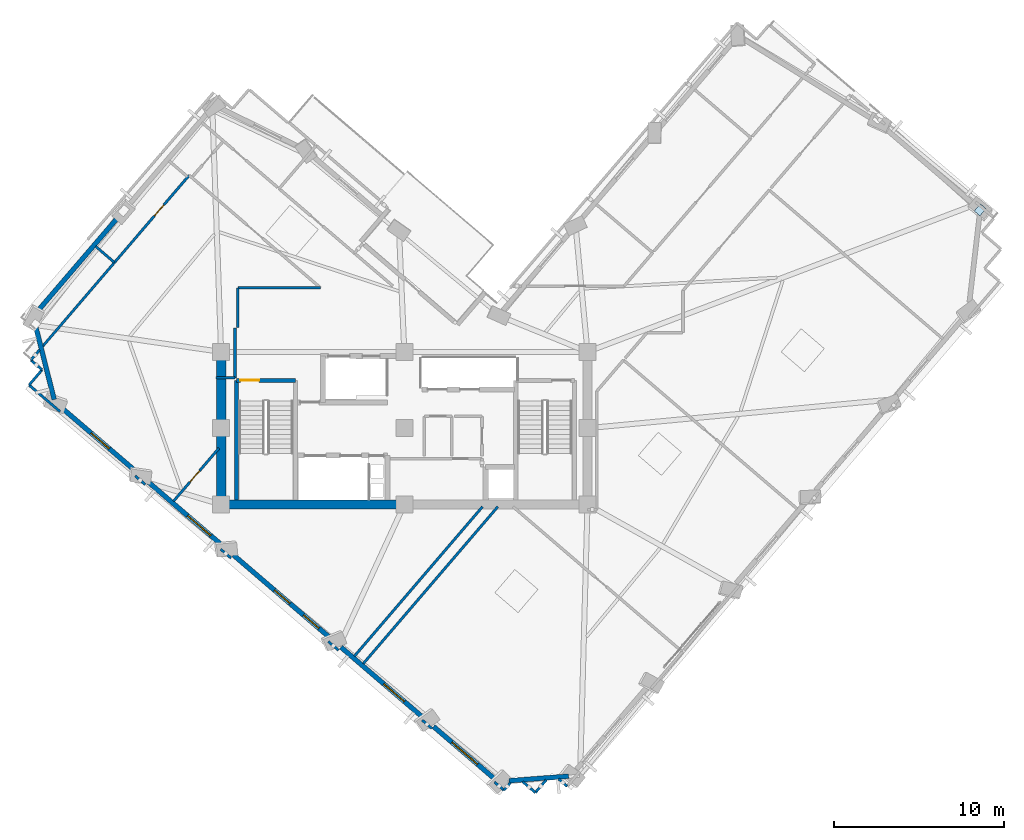
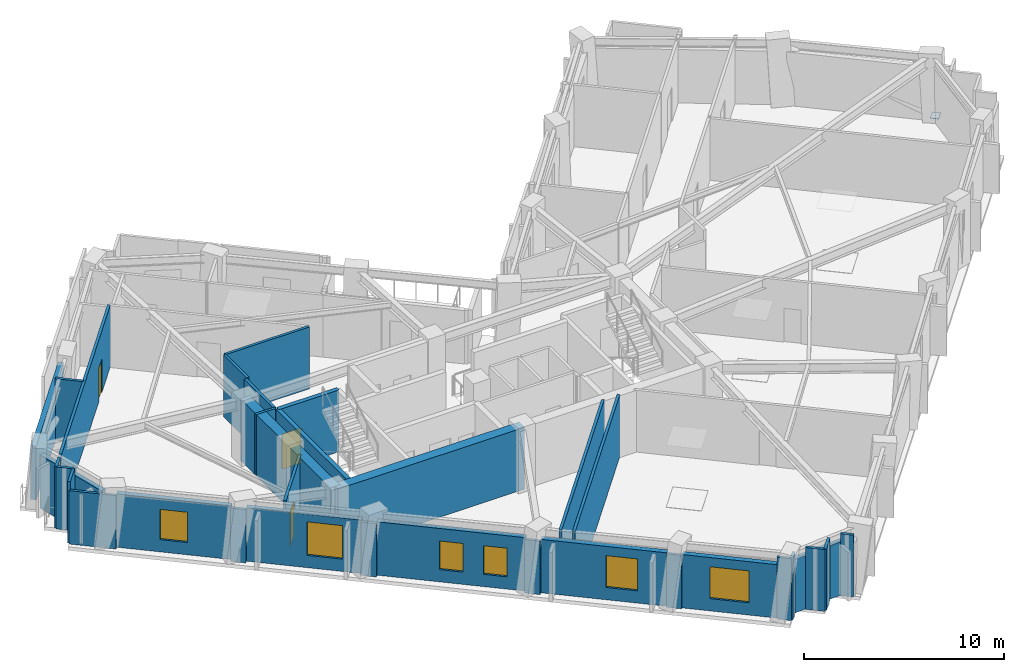
# One storey, part 5 of 12: 34 walls, 6 windows, 3 doors, 1 plate, 9 openings.
"""IFC4 building model written with IfcOpenShell, lengths in metres."""

import ifcopenshell
import ifcopenshell.guid

model = None  # the IFC model being written
_history = None  # IfcOwnerHistory: only IFC2X3 demands one
_inside = {}  # id of a spatial element -> (the spatial element, [elements in it])
_under = {}  # id of a project, library or spatial element -> (it, [spatial elements below it])
_declared = {}  # id of a project -> (the project, [libraries it declares])
_typed = {}  # id of a type object -> (the type object, [elements of that type])
_made_of = {}  # id of a material, layer set ... -> (it, [elements and type objects made of it])


def new_model(schema):
    """Start an empty IFC model of exactly this schema.

    Asked for "IFC4X3", IfcOpenShell would pick the latest addendum, in which some entities
    have other attributes; the version numbers below select the first issue.
    IFC2X3 requires an IfcOwnerHistory on every rooted entity: one is made here for all.
    """
    global model, _history
    if schema == "IFC4X3":
        model = ifcopenshell.file(schema_version=(4, 3, 0, 0))
    else:
        model = ifcopenshell.file(schema=schema)
    _inside.clear()
    _under.clear()
    _declared.clear()
    _typed.clear()
    _made_of.clear()
    _history = None
    if model.schema == "IFC2X3":
        org = make("IfcOrganization", Name="unknown")
        user = make(
            "IfcPersonAndOrganization",
            ThePerson=make("IfcPerson", FamilyName="unknown"),
            TheOrganization=org,
        )
        app = make(
            "IfcApplication",
            ApplicationDeveloper=org,
            Version="unknown",
            ApplicationFullName="unknown",
            ApplicationIdentifier="unknown",
        )
        _history = make(
            "IfcOwnerHistory",
            OwningUser=user,
            OwningApplication=app,
            ChangeAction="ADDED",
            CreationDate=0,
        )
    return model


def make(cls, **values):
    """One entity of the class cls with the attributes given. An attribute that is None is left unset."""
    return model.create_entity(
        cls, **{name: value for name, value in values.items() if value is not None}
    )


def rooted(cls, **values):
    """An entity with a GlobalId (a new one), such as an element, a storey or a relation."""
    return make(cls, GlobalId=ifcopenshell.guid.new(), OwnerHistory=_history, **values)


def si_unit(unit_type, name, prefix=None):
    """IfcSIUnit, for example si_unit("LENGTHUNIT", "METRE", prefix="MILLI")."""
    return make("IfcSIUnit", UnitType=unit_type, Prefix=prefix, Name=name)


def assignment(units):
    """IfcUnitAssignment: the units of a project."""
    return None if units is None else make("IfcUnitAssignment", Units=units)


def point(xyz):
    """IfcCartesianPoint."""
    return None if xyz is None else make("IfcCartesianPoint", Coordinates=xyz)


def direction(xyz):
    """IfcDirection."""
    return None if xyz is None else make("IfcDirection", DirectionRatios=xyz)


def frame(location, z_axis=None, x_axis=None):
    """IfcAxis2Placement3D, a coordinate frame: its origin and axes. An axis left out is left unset."""
    return make(
        "IfcAxis2Placement3D",
        Location=point(location),
        Axis=direction(z_axis),
        RefDirection=direction(x_axis),
    )


def frame_2d(location, x_axis=None):
    """IfcAxis2Placement2D, a coordinate frame in the plane: its origin and x axis."""
    return make(
        "IfcAxis2Placement2D", Location=point(location), RefDirection=direction(x_axis)
    )


def origin():
    """The frame at (0, 0, 0) with its axes left unset."""
    return frame((0.0, 0.0, 0.0))


def origin_2d():
    """The frame at (0, 0) in the plane with its x axis left unset."""
    return frame_2d((0.0, 0.0))


def place(relative_to, where):
    """IfcLocalPlacement: puts the frame where relative to a parent placement (None: the world)."""
    return make(
        "IfcLocalPlacement", PlacementRelTo=relative_to, RelativePlacement=where
    )


def context(
    kind, dimensions, precision=None, world=None, true_north=None, identifier=None
):
    """IfcGeometricRepresentationContext, for example the 3D "Model" context."""
    return make(
        "IfcGeometricRepresentationContext",
        ContextIdentifier=identifier,
        ContextType=kind,
        CoordinateSpaceDimension=dimensions,
        Precision=precision,
        WorldCoordinateSystem=world,
        TrueNorth=true_north,
    )


def subcontext(parent, identifier, kind, view, scale=None):
    """IfcGeometricRepresentationSubContext, for example "Body" below "Model"."""
    return make(
        "IfcGeometricRepresentationSubContext",
        ContextIdentifier=identifier,
        ContextType=kind,
        ParentContext=parent,
        TargetScale=scale,
        TargetView=view,
    )


def project(units=None, contexts=None):
    """IfcProject with its units and contexts."""
    return rooted(
        "IfcProject",
        Name="project",
        RepresentationContexts=contexts,
        UnitsInContext=assignment(units),
    )


def spatial(cls, under=None, at=None, **own):
    """A site, building, storey or space (cls), placed at a placement, below another one or the project."""
    s = rooted(cls, ObjectPlacement=at, **own)
    if under is not None:
        _under.setdefault(under.id(), (under, []))[1].append(s)
    return s


def profile(cls, at=None, kind="AREA", **sizes):
    """A parametric profile (cls). Its sizes go by their IFC names, for example OverallWidth=200.0."""
    return make(cls, ProfileType=kind, Position=at, **sizes)


def rectangle(**sizes):
    """IfcRectangleProfileDef."""
    return profile("IfcRectangleProfileDef", **sizes)


def extrude(swept, where, along, depth):
    """IfcExtrudedAreaSolid: the profile swept, set in the frame where, extruded along a direction by depth."""
    return make(
        "IfcExtrudedAreaSolid",
        SweptArea=swept,
        Position=where,
        ExtrudedDirection=direction(along),
        Depth=depth,
    )


def shape(context_of_items, identifier, shape_type, items):
    """IfcShapeRepresentation: the items that make up one representation, for example the "Body"."""
    return make(
        "IfcShapeRepresentation",
        ContextOfItems=context_of_items,
        RepresentationIdentifier=identifier,
        RepresentationType=shape_type,
        Items=items,
    )


def material(Name=None, Category=None):
    """IfcMaterial."""
    return make("IfcMaterial", Name=Name, Category=Category)


def layer(
    of_material, thickness, ventilated=None, Name=None, Category=None, Priority=None
):
    """IfcMaterialLayer: one layer of a wall or slab, of a material (None: an air gap)."""
    return make(
        "IfcMaterialLayer",
        Material=of_material,
        LayerThickness=thickness,
        IsVentilated=ventilated,
        Name=Name,
        Category=Category,
        Priority=Priority,
    )


def layer_set(layers, Name=None):
    """IfcMaterialLayerSet."""
    return make("IfcMaterialLayerSet", MaterialLayers=layers, LayerSetName=Name)


def made_of(thing, what):
    """Note that an element or type object is made of a material, layer set ...; save() writes the relation."""
    if what is not None:
        _made_of.setdefault(what.id(), (what, []))[1].append(thing)
    return thing


def type_object(cls, material=None, **own):
    """A type object (cls), such as IfcWallType, which elements share."""
    return made_of(rooted(cls, **own), material)


def element(
    cls,
    number,
    at=None,
    inside=None,
    cuts=None,
    type_object=None,
    material=None,
    context=None,
    identifier="Body",
    shape_type=None,
    held_by="IfcProductDefinitionShape",
    body=None,
    shapes=None,
    **own,
):
    """One element of the class cls, such as IfcWall. Its Tag is "e" and its number.

    at: its placement. inside: the storey or other place that contains it. cuts: it is an
    opening in that element (IfcRelVoidsElement). A single representation is given by context,
    identifier, shape_type and body (its items); several are given by shapes. held_by: the class
    of the entity that holds the representations. save() writes the other relations.
    """
    e = rooted(cls, Tag="e%d" % number, ObjectPlacement=at, **own)
    if body is not None:
        shapes = [shape(context, identifier, shape_type, body)]
    if shapes is not None:
        e.Representation = make(held_by, Representations=shapes)
    if inside is not None:
        _inside.setdefault(inside.id(), (inside, []))[1].append(e)
    if cuts is not None:
        rooted(
            "IfcRelVoidsElement", RelatingBuildingElement=cuts, RelatedOpeningElement=e
        )
    if type_object is not None:
        _typed.setdefault(type_object.id(), (type_object, []))[1].append(e)
    return made_of(e, material)


def fill(opening, filler):
    """IfcRelFillsElement: the door or window that sits in an opening."""
    return rooted(
        "IfcRelFillsElement",
        RelatingOpeningElement=opening,
        RelatedBuildingElement=filler,
    )


def aggregate(whole, parts):
    """IfcRelAggregates: a whole, such as a stair, and the parts it consists of."""
    return rooted("IfcRelAggregates", RelatingObject=whole, RelatedObjects=parts)


def save(model, path):
    """Write the relations noted so far, then the file.

    IfcRelAggregates (storeys below a building ...), IfcRelContainedInSpatialStructure (elements
    in a storey), IfcRelDefinesByType, IfcRelAssociatesMaterial and IfcRelDeclares: one each for
    every whole, place, type object, material and project.
    """
    for whole, parts in _under.values():
        aggregate(whole, parts)
    for where, things in _inside.values():
        rooted(
            "IfcRelContainedInSpatialStructure",
            RelatedElements=things,
            RelatingStructure=where,
        )
    for kind, things in _typed.values():
        rooted("IfcRelDefinesByType", RelatedObjects=things, RelatingType=kind)
    for what, things in _made_of.values():
        rooted("IfcRelAssociatesMaterial", RelatedObjects=things, RelatingMaterial=what)
    for by, libraries in _declared.values():
        rooted("IfcRelDeclares", RelatingContext=by, RelatedDefinitions=libraries)
    model.write(path)


model = new_model("IFC4")

# Units and contexts
model_context = context("Model", 3, precision=1e-05, world=origin(), true_north=direction((0.0, 1.0)))
body_context = subcontext(model_context, "Body", "Model", "MODEL_VIEW")
ifc_project = project(units=[si_unit("LENGTHUNIT", "METRE"), si_unit("AREAUNIT", "SQUARE_METRE"), si_unit("VOLUMEUNIT", "CUBIC_METRE"), si_unit("PLANEANGLEUNIT", "RADIAN"), si_unit("MASSUNIT", "GRAM", prefix="KILO")], contexts=[model_context])

# Site, building, storey
site_placement = place(None, origin())
site = spatial("IfcSite", under=ifc_project, at=site_placement, CompositionType="ELEMENT")
building_placement = place(site_placement, origin())
building = spatial("IfcBuilding", under=site, at=building_placement, Name="Gaonmaruhae Medical Tower", CompositionType="ELEMENT")
storey_placement = place(building_placement, frame((0.0, 0.0, 235.199951171875)))
storey = spatial("IfcBuildingStorey", under=building, at=storey_placement, Name="L56", CompositionType="ELEMENT", Elevation=235.199951171875)

# Plate
ifc_material_1 = material(Name="Steel HSA650 (650 MPa)", Category="steel")
ifc_layer_1 = layer(ifc_material_1, 0.028076171875)
ifc_layer_set_1 = layer_set([ifc_layer_1], Name="Steel HSA650 (650 MPa)")
plate_type = type_object("IfcPlateType", Name="GP-02 Tube Brace End Cap Gusset Plate", PredefinedType="USERDEFINED", material=ifc_layer_set_1)
plate_placement = place(storey_placement, frame((58.74755859375, 25.1748046875, 0.23583984375), z_axis=(0.0, 0.0, 1.0), x_axis=(0.650774217266, 0.759271307335, 0.0)))
element("IfcPlate", 1, at=plate_placement, inside=storey, type_object=plate_type, Name="L56 Gusset Cap Plate PLT-L56-PBR-E01A", ObjectType="GUSSET_PLATE", PredefinedType="USERDEFINED", context=body_context, shape_type="SweptSolid", body=[
    extrude(rectangle(XDim=0.56005859375, YDim=0.43994140625, at=origin_2d()), origin(), (0.0, 0.0, 1.0), 0.028076171875),
])

# Walls
ifc_material_2 = material(Name="Concrete C50/60", Category="concrete")
ifc_layer_2 = layer(ifc_material_2, 0.550048828125)
ifc_layer_set_2 = layer_set([ifc_layer_2], Name="Concrete C50/60")
wall_type_1 = type_object("IfcWallType", Name="CW-550 Mid-High Core Shear Wall", PredefinedType="SHEAR", material=ifc_layer_set_2)
wall_1_placement = place(storey_placement, frame((14.0, 7.800048828125, 0.0), z_axis=(0.0, 0.0, 1.0), x_axis=(1.0, 0.0, 0.0)))
element("IfcWall", 2, at=wall_1_placement, inside=storey, type_object=wall_type_1, Name="L56 Core Shear Wall CSW-S1", PredefinedType="SHEAR", context=body_context, shape_type="SweptSolid", body=[
    extrude(rectangle(XDim=10.800048828125, YDim=0.550048828125, at=frame_2d((5.39990234375, 0.0))), origin(), (0.0, 0.0, 1.0), 3.780029296875),
])
wall_2_placement = place(storey_placement, frame((14.0, 16.800048828125, 0.0), z_axis=(0.0, 0.0, 1.0), x_axis=(0.0, -1.0, 0.0)))
element("IfcWall", 3, at=wall_2_placement, inside=storey, type_object=wall_type_1, Name="L56 Core Shear Wall CSW-W1", PredefinedType="SHEAR", context=body_context, shape_type="SweptSolid", body=[
    extrude(rectangle(XDim=9.0, YDim=0.550048828125, at=frame_2d((4.5, 0.0))), origin(), (0.0, 0.0, 1.0), 3.780029296875),
])
ifc_material_3 = material(Name="Precast concrete C45/55", Category="concrete")
ifc_layer_3 = layer(ifc_material_3, 0.280029296875)
ifc_layer_set_3 = layer_set([ifc_layer_3], Name="Precast concrete C45/55")
wall_type_2 = type_object("IfcWallType", Name="EW-280 Upper Precast Masonry-Frame Facade Wall", PredefinedType="SOLIDWALL", material=ifc_layer_set_3)
wall_3_placement = place(storey_placement, frame((3.0390625, 19.03125, 0.0), z_axis=(0.0, 0.0, 1.0), x_axis=(0.650777942078, 0.759268114769, 0.0)))
element("IfcWall", 4, at=wall_3_placement, inside=storey, type_object=wall_type_2, Name="L56 Precast Masonry-Frame Wall N02-N03", PredefinedType="SOLIDWALL", context=body_context, shape_type="SweptSolid", body=[
    extrude(rectangle(XDim=7.484619140625, YDim=0.280029296875, at=frame_2d((3.7421875, 0.0))), origin(), (0.0, 0.0, 1.0), 3.26513671875),
])
wall_4_placement = place(storey_placement, frame((4.16162109375, 13.983642578125, 0.0), z_axis=(0.0, 0.0, 1.0), x_axis=(-0.245023900533, 0.969517038616, 0.0)))
element("IfcWall", 5, at=wall_4_placement, inside=storey, type_object=wall_type_2, Name="L56 Precast Masonry-Frame Wall N03-W01", PredefinedType="SOLIDWALL", context=body_context, shape_type="SweptSolid", body=[
    extrude(rectangle(XDim=4.407958984375, YDim=0.280029296875, at=frame_2d((2.2041015625, 0.0))), origin(), (0.0, 0.0, 1.0), 3.26513671875),
])

# Wall, opening, window
wall_5_placement = place(storey_placement, frame((9.08251953125, 9.660888671875, 0.0), z_axis=(0.0, 0.0, 1.0), x_axis=(-0.759271381462, 0.65077413078, 0.0)))
wall_5 = element("IfcWall", 6, at=wall_5_placement, inside=storey, type_object=wall_type_2, Name="L56 Precast Masonry-Frame Wall W01-W02", PredefinedType="SOLIDWALL", context=body_context, shape_type="SweptSolid", body=[
    extrude(rectangle(XDim=5.830322265625, YDim=0.280029296875, at=frame_2d((2.9150390625, 0.0))), origin(), (0.0, 0.0, 1.0), 3.26513671875),
])
opening_1_placement = place(wall_5_placement, frame((2.21142578125, 0.0, 0.75)))
opening_1 = element("IfcOpeningElement", 7, at=opening_1_placement, cuts=wall_5, Name="Opening WN-03", PredefinedType="OPENING", context=body_context, shape_type="SweptSolid", body=[
    extrude(rectangle(XDim=1.39990234375, YDim=1.85009765625, at=frame_2d((0.699951171875, 0.925048828125))), frame((0.0, 0.14990234375, 0.0), z_axis=(0.0, -1.0, 0.0), x_axis=(1.0, 0.0, 0.0)), (0.0, 0.0, 1.0), 0.300048828125),
])
ifc_material_4 = material(Name="Anodised aluminium and Low-E double glazing", Category="aluminium")
window_type_1 = type_object("IfcWindowType", Name="WN-03 Isolation Ward Punched Window 1400x1850", PartitioningType="SINGLE_PANEL", PredefinedType="WINDOW", material=ifc_material_4)
window_1_placement = place(opening_1_placement, origin())
window_1 = element("IfcWindow", 8, at=window_1_placement, inside=storey, type_object=window_type_1, Name="L56 Modular Facade Window W01", OverallHeight=1.85009765625, OverallWidth=1.39990234375, PartitioningType="SINGLE_PANEL", PredefinedType="WINDOW", context=body_context, shape_type="SweptSolid", body=[
    extrude(rectangle(XDim=1.39990234375, YDim=1.85009765625, at=frame_2d((0.699951171875, 0.925048828125))), frame((0.0, 0.030029296875, 0.0), z_axis=(0.0, -1.0, 0.0), x_axis=(1.0, 0.0, 0.0)), (0.0, 0.0, 1.0), 0.06005859375),
])
fill(opening_1, window_1)

wall_6_placement = place(storey_placement, frame((14.126953125, 5.33740234375, 0.0), z_axis=(0.0, 0.0, 1.0), x_axis=(-0.75928012576, 0.650763928492, 0.0)))
wall_6 = element("IfcWall", 9, at=wall_6_placement, inside=storey, type_object=wall_type_2, Name="L56 Precast Masonry-Frame Wall W02-W03", PredefinedType="SOLIDWALL", context=body_context, shape_type="SweptSolid", body=[
    extrude(rectangle(XDim=5.86083984375, YDim=0.280029296875, at=frame_2d((2.930419921875, 0.0))), origin(), (0.0, 0.0, 1.0), 3.26513671875),
])
opening_2_placement = place(wall_6_placement, frame((0.972900390625, 0.0, 0.75)))
opening_2 = element("IfcOpeningElement", 10, at=opening_2_placement, cuts=wall_6, Name="Opening WN-04", PredefinedType="OPENING", context=body_context, shape_type="SweptSolid", body=[
    extrude(rectangle(XDim=1.800048828125, YDim=2.050048828125, at=frame_2d((0.89990234375, 1.02490234375))), frame((0.0, 0.14990234375, 0.0), z_axis=(0.0, -1.0, 0.0), x_axis=(1.0, 0.0, 0.0)), (0.0, 0.0, 1.0), 0.300048828125),
])
window_type_2 = type_object("IfcWindowType", Name="WN-04 Clinic & Consult Punched Window 1800x2050", PartitioningType="SINGLE_PANEL", PredefinedType="WINDOW", material=ifc_material_4)
window_2_placement = place(opening_2_placement, origin())
window_2 = element("IfcWindow", 11, at=window_2_placement, inside=storey, type_object=window_type_2, Name="L56 Modular Facade Window W02", OverallHeight=2.050048828125, OverallWidth=1.800048828125, PartitioningType="SINGLE_PANEL", PredefinedType="WINDOW", context=body_context, shape_type="SweptSolid", body=[
    extrude(rectangle(XDim=1.800048828125, YDim=2.050048828125, at=frame_2d((0.89990234375, 1.02490234375))), frame((0.0, 0.030029296875, 0.0), z_axis=(0.0, -1.0, 0.0), x_axis=(1.0, 0.0, 0.0)), (0.0, 0.0, 1.0), 0.06005859375),
])
fill(opening_2, window_2)

# Wall, openings, windows
wall_7_placement = place(storey_placement, frame((20.468994140625, -0.098388671875, 0.0), z_axis=(0.0, 0.0, 1.0), x_axis=(-0.759272562742, 0.650772752555, 0.0)))
wall_7 = element("IfcWall", 12, at=wall_7_placement, inside=storey, type_object=wall_type_2, Name="L56 Precast Masonry-Frame Wall W03-W04", PredefinedType="SOLIDWALL", context=body_context, shape_type="SweptSolid", body=[
    extrude(rectangle(XDim=7.558349609375, YDim=0.280029296875, at=frame_2d((3.779296875, 0.0))), origin(), (0.0, 0.0, 1.0), 3.26513671875),
])
opening_3_placement = place(wall_7_placement, frame((3.18017578125, 0.0, 0.75)))
opening_3 = element("IfcOpeningElement", 13, at=opening_3_placement, cuts=wall_7, Name="Opening WN-05", PredefinedType="OPENING", context=body_context, shape_type="SweptSolid", body=[
    extrude(rectangle(XDim=1.199951171875, YDim=1.75, at=frame_2d((0.60009765625, 0.875))), frame((0.0, 0.14990234375, 0.0), z_axis=(0.0, -1.0, 0.0), x_axis=(1.0, 0.0, 0.0)), (0.0, 0.0, 1.0), 0.300048828125),
])
opening_4_placement = place(wall_7_placement, frame((0.926025390625, 0.0, 0.75)))
opening_4 = element("IfcOpeningElement", 14, at=opening_4_placement, cuts=wall_7, Name="Opening WN-05", PredefinedType="OPENING", context=body_context, shape_type="SweptSolid", body=[
    extrude(rectangle(XDim=1.199951171875, YDim=1.75, at=frame_2d((0.60009765625, 0.875))), frame((0.0, 0.14990234375, 0.0), z_axis=(0.0, -1.0, 0.0), x_axis=(1.0, 0.0, 0.0)), (0.0, 0.0, 1.0), 0.300048828125),
])
window_type_3 = type_object("IfcWindowType", Name="WN-05 Support & Staff Punched Window 1200x1750", PartitioningType="SINGLE_PANEL", PredefinedType="WINDOW", material=ifc_material_4)
window_3_placement = place(opening_3_placement, origin())
window_3 = element("IfcWindow", 15, at=window_3_placement, inside=storey, type_object=window_type_3, Name="L56 Modular Facade Window W03", OverallHeight=1.75, OverallWidth=1.199951171875, PartitioningType="SINGLE_PANEL", PredefinedType="WINDOW", context=body_context, shape_type="SweptSolid", body=[
    extrude(rectangle(XDim=1.199951171875, YDim=1.75, at=frame_2d((0.60009765625, 0.875))), frame((0.0, 0.030029296875, 0.0), z_axis=(0.0, -1.0, 0.0), x_axis=(1.0, 0.0, 0.0)), (0.0, 0.0, 1.0), 0.06005859375),
])
fill(opening_3, window_3)
window_4_placement = place(opening_4_placement, origin())
window_4 = element("IfcWindow", 16, at=window_4_placement, inside=storey, type_object=window_type_3, Name="L56 Modular Facade Window W03B", OverallHeight=1.75, OverallWidth=1.199951171875, PartitioningType="SINGLE_PANEL", PredefinedType="WINDOW", context=body_context, shape_type="SweptSolid", body=[
    extrude(rectangle(XDim=1.199951171875, YDim=1.75, at=frame_2d((0.60009765625, 0.875))), frame((0.0, 0.030029296875, 0.0), z_axis=(0.0, -1.0, 0.0), x_axis=(1.0, 0.0, 0.0)), (0.0, 0.0, 1.0), 0.06005859375),
])
fill(opening_4, window_4)

# Wall, opening, window
wall_8_placement = place(storey_placement, frame((25.9453125, -4.792236328125, 0.0), z_axis=(0.0, 0.0, 1.0), x_axis=(-0.759283424099, 0.650760080128, 0.0)))
wall_8 = element("IfcWall", 17, at=wall_8_placement, inside=storey, type_object=wall_type_2, Name="L56 Precast Masonry-Frame Wall W04-W05", PredefinedType="SOLIDWALL", context=body_context, shape_type="SweptSolid", body=[
    extrude(rectangle(XDim=6.425048828125, YDim=0.280029296875, at=frame_2d((3.21240234375, 0.0))), origin(), (0.0, 0.0, 1.0), 3.26513671875),
])
opening_5_placement = place(wall_8_placement, frame((1.49755859375, 0.0, 0.75)))
opening_5 = element("IfcOpeningElement", 18, at=opening_5_placement, cuts=wall_8, Name="Opening WN-01", PredefinedType="OPENING", context=body_context, shape_type="SweptSolid", body=[
    extrude(rectangle(XDim=1.60009765625, YDim=1.949951171875, at=frame_2d((0.800048828125, 0.97509765625))), frame((0.0, 0.14990234375, 0.0), z_axis=(0.0, -1.0, 0.0), x_axis=(1.0, 0.0, 0.0)), (0.0, 0.0, 1.0), 0.300048828125),
])
window_type_4 = type_object("IfcWindowType", Name="WN-01 Ward Punched Acoustic Window 1600x1950", PartitioningType="SINGLE_PANEL", PredefinedType="WINDOW", material=ifc_material_4)
window_5_placement = place(opening_5_placement, origin())
window_5 = element("IfcWindow", 19, at=window_5_placement, inside=storey, type_object=window_type_4, Name="L56 Modular Facade Window W04", OverallHeight=1.949951171875, OverallWidth=1.60009765625, PartitioningType="SINGLE_PANEL", PredefinedType="WINDOW", context=body_context, shape_type="SweptSolid", body=[
    extrude(rectangle(XDim=1.60009765625, YDim=1.949951171875, at=frame_2d((0.800048828125, 0.97509765625))), frame((0.0, 0.030029296875, 0.0), z_axis=(0.0, -1.0, 0.0), x_axis=(1.0, 0.0, 0.0)), (0.0, 0.0, 1.0), 0.06005859375),
])
fill(opening_5, window_5)

wall_9_placement = place(storey_placement, frame((30.210205078125, -8.447509765625, 0.0), z_axis=(0.0, 0.0, 1.0), x_axis=(-0.759274347873, 0.650770669792, 0.0)))
wall_9 = element("IfcWall", 20, at=wall_9_placement, inside=storey, type_object=wall_type_2, Name="L56 Precast Masonry-Frame Wall W05-W06", PredefinedType="SOLIDWALL", context=body_context, shape_type="SweptSolid", body=[
    extrude(rectangle(XDim=4.855712890625, YDim=0.280029296875, at=frame_2d((2.427734375, 0.0))), origin(), (0.0, 0.0, 1.0), 3.26513671875),
])
opening_6_placement = place(wall_9_placement, frame((1.4326171875, 0.0, 0.75)))
opening_6 = element("IfcOpeningElement", 21, at=opening_6_placement, cuts=wall_9, Name="Opening WN-02", PredefinedType="OPENING", context=body_context, shape_type="SweptSolid", body=[
    extrude(rectangle(XDim=2.0, YDim=1.949951171875, at=frame_2d((1.0, 0.97509765625))), frame((0.0, 0.14990234375, 0.0), z_axis=(0.0, -1.0, 0.0), x_axis=(1.0, 0.0, 0.0)), (0.0, 0.0, 1.0), 0.300048828125),
])
window_type_5 = type_object("IfcWindowType", Name="WN-02 Double-Bed Ward Punched Window 2000x1950", PartitioningType="SINGLE_PANEL", PredefinedType="WINDOW", material=ifc_material_4)
window_6_placement = place(opening_6_placement, origin())
window_6 = element("IfcWindow", 22, at=window_6_placement, inside=storey, type_object=window_type_5, Name="L56 Modular Facade Window W05", OverallHeight=1.949951171875, OverallWidth=2.0, PartitioningType="SINGLE_PANEL", PredefinedType="WINDOW", context=body_context, shape_type="SweptSolid", body=[
    extrude(rectangle(XDim=2.0, YDim=1.949951171875, at=frame_2d((1.0, 0.97509765625))), frame((0.0, 0.030029296875, 0.0), z_axis=(0.0, -1.0, 0.0), x_axis=(1.0, 0.0, 0.0)), (0.0, 0.0, 1.0), 0.06005859375),
])
fill(opening_6, window_6)

# Walls
wall_10_placement = place(storey_placement, frame((34.491455078125, -8.21533203125, 0.0), z_axis=(0.0, 0.0, 1.0), x_axis=(-0.997049588835, -0.076760128996, 0.0)))
element("IfcWall", 23, at=wall_10_placement, inside=storey, type_object=wall_type_2, Name="L56 Precast Masonry-Frame Wall W06-S01", PredefinedType="SOLIDWALL", context=body_context, shape_type="SweptSolid", body=[
    extrude(rectangle(XDim=3.52099609375, YDim=0.280029296875, at=frame_2d((1.760498046875, 0.0))), origin(), (0.0, 0.0, 1.0), 3.26513671875),
])
ifc_material_5 = material(Name="Gypsum board partition", Category="gypsum")
ifc_layer_4 = layer(ifc_material_5, 0.14990234375)
ifc_layer_set_4 = layer_set([ifc_layer_4], Name="Gypsum board partition")
wall_type_3 = type_object("IfcWallType", Name="PW-150 Rated Clinical Corridor Partition", PredefinedType="PARTITIONING", material=ifc_layer_set_4)
wall_11_placement = place(storey_placement, frame((32.527099609375, -9.181884765625, 0.0), z_axis=(0.0, 0.0, 1.0), x_axis=(-0.75976264828, 0.650200521592, 0.0)))
element("IfcWall", 24, at=wall_11_placement, inside=storey, type_object=wall_type_3, Name="L56 Interior Partition L56-SUP01-8", PredefinedType="PARTITIONING", context=body_context, shape_type="SweptSolid", body=[
    extrude(rectangle(XDim=0.987060546875, YDim=0.14990234375, at=frame_2d((0.49365234375, 0.0))), origin(), (0.0, 0.0, 1.0), 3.780029296875),
])
wall_12_placement = place(storey_placement, frame((31.053955078125, -8.594970703125, 0.0), z_axis=(0.0, 0.0, 1.0), x_axis=(-0.650311850312, -0.759667359667, 0.0)))
element("IfcWall", 25, at=wall_12_placement, inside=storey, type_object=wall_type_3, Name="L56 Interior Partition L56-SUP01-9", PredefinedType="PARTITIONING", context=body_context, shape_type="SweptSolid", body=[
    extrude(rectangle(XDim=0.587158203125, YDim=0.14990234375, at=frame_2d((0.29345703125, 0.0))), origin(), (0.0, 0.0, 1.0), 3.780029296875),
])
wall_13_placement = place(storey_placement, frame((30.672119140625, -9.041015625, 0.0), z_axis=(0.0, 0.0, 1.0), x_axis=(-0.758741831686, 0.651391458993, 0.0)))
element("IfcWall", 26, at=wall_13_placement, inside=storey, type_object=wall_type_3, Name="L56 Interior Partition L56-SUP01-10", PredefinedType="PARTITIONING", context=body_context, shape_type="SweptSolid", body=[
    extrude(rectangle(XDim=0.73681640625, YDim=0.14990234375, at=frame_2d((0.368408203125, 0.0))), origin(), (0.0, 0.0, 1.0), 3.780029296875),
])
wall_14_placement = place(storey_placement, frame((26.426025390625, -5.402099609375, 0.0), z_axis=(0.0, 0.0, 1.0), x_axis=(-0.758894532058, 0.651213551158, 0.0)))
element("IfcWall", 27, at=wall_14_placement, inside=storey, type_object=wall_type_3, Name="L56 Interior Partition L56-SUP01-11", PredefinedType="PARTITIONING", context=body_context, shape_type="SweptSolid", body=[
    extrude(rectangle(XDim=0.76171875, YDim=0.14990234375, at=frame_2d((0.380859375, 0.0))), origin(), (0.0, 0.0, 1.0), 3.26513671875),
])
wall_15_placement = place(storey_placement, frame((22.37890625, -1.583984375, 0.0), z_axis=(0.0, 0.0, 1.0), x_axis=(0.650778183547, 0.759267907803, 0.0)))
element("IfcWall", 28, at=wall_15_placement, inside=storey, type_object=wall_type_3, Name="L56 Interior Partition L56-SUP01-12", PredefinedType="PARTITIONING", context=body_context, shape_type="SweptSolid", body=[
    extrude(rectangle(XDim=12.194580078125, YDim=0.14990234375, at=frame_2d((6.09716796875, 0.0))), origin(), (0.0, 0.0, 1.0), 3.780029296875),
])
wall_16_placement = place(storey_placement, frame((34.39892578125, -8.81103515625, 0.0), z_axis=(0.0, 0.0, 1.0), x_axis=(-0.75951479311, 0.650490029937, 0.0)))
element("IfcWall", 29, at=wall_16_placement, inside=storey, type_object=wall_type_3, Name="L56 Interior Partition L56-SUP01-16", PredefinedType="PARTITIONING", context=body_context, shape_type="SweptSolid", body=[
    extrude(rectangle(XDim=0.667236328125, YDim=0.14990234375, at=frame_2d((0.33349609375, 0.0))), origin(), (0.0, 0.0, 1.0), 3.780029296875),
])
wall_17_placement = place(storey_placement, frame((33.1689453125, -8.43310546875, 0.0), z_axis=(0.0, 0.0, 1.0), x_axis=(-0.65081175978, -0.759239127899, 0.0)))
element("IfcWall", 30, at=wall_17_placement, inside=storey, type_object=wall_type_3, Name="L56 Interior Partition L56-SUP01-17", PredefinedType="PARTITIONING", context=body_context, shape_type="SweptSolid", body=[
    extrude(rectangle(XDim=0.986328125, YDim=0.14990234375, at=frame_2d((0.4931640625, 0.0))), origin(), (0.0, 0.0, 1.0), 3.780029296875),
])
wall_18_placement = place(storey_placement, frame((29.412109375, 7.675048828125, 0.0), z_axis=(0.0, 0.0, 1.0), x_axis=(-0.65075326378, -0.759289266143, 0.0)))
element("IfcWall", 31, at=wall_18_placement, inside=storey, type_object=wall_type_3, Name="L56 Interior Partition L56-WOF05-40", PredefinedType="PARTITIONING", context=body_context, shape_type="SweptSolid", body=[
    extrude(rectangle(XDim=11.60693359375, YDim=0.14990234375, at=frame_2d((5.803466796875, 0.0))), origin(), (0.0, 0.0, 1.0), 3.780029296875),
])
wall_19_placement = place(storey_placement, frame((20.9169921875, -0.785888671875, 0.0), z_axis=(0.0, 0.0, 1.0), x_axis=(-0.758972140916, 0.651123098434, 0.0)))
element("IfcWall", 32, at=wall_19_placement, inside=storey, type_object=wall_type_3, Name="L56 Interior Partition L56-WOF05-41", PredefinedType="PARTITIONING", context=body_context, shape_type="SweptSolid", body=[
    extrude(rectangle(XDim=0.787841796875, YDim=0.14990234375, at=frame_2d((0.39404296875, 0.0))), origin(), (0.0, 0.0, 1.0), 3.26513671875),
])
wall_20_placement = place(storey_placement, frame((14.5810546875, 4.64599609375, 0.0), z_axis=(0.0, 0.0, 1.0), x_axis=(-0.759646602571, 0.650336097108, 0.0)))
element("IfcWall", 33, at=wall_20_placement, inside=storey, type_object=wall_type_3, Name="L56 Interior Partition L56-WOF05-42", PredefinedType="PARTITIONING", context=body_context, shape_type="SweptSolid", body=[
    extrude(rectangle(XDim=0.795166015625, YDim=0.14990234375, at=frame_2d((0.3974609375, 0.0))), origin(), (0.0, 0.0, 1.0), 3.26513671875),
])

# Wall, opening, door
wall_21_placement = place(storey_placement, frame((11.197998046875, 7.9990234375, 0.0), z_axis=(0.0, 0.0, 1.0), x_axis=(0.650923360633, 0.759143450595, 0.0)))
wall_21 = element("IfcWall", 34, at=wall_21_placement, inside=storey, type_object=wall_type_3, Name="L56 Interior Partition L56-WOF05-43", PredefinedType="PARTITIONING", context=body_context, shape_type="SweptSolid", body=[
    extrude(rectangle(XDim=4.112548828125, YDim=0.14990234375, at=frame_2d((2.05615234375, 0.0))), origin(), (0.0, 0.0, 1.0), 3.780029296875),
])
opening_7_placement = place(wall_21_placement, frame((1.491943359375, 0.0, 0.0)))
opening_7 = element("IfcOpeningElement", 35, at=opening_7_placement, cuts=wall_21, Name="Opening AD-01", PredefinedType="OPENING", context=body_context, shape_type="SweptSolid", body=[
    extrude(rectangle(XDim=0.860107421875, YDim=2.06005859375, at=frame_2d((0.43017578125, 1.030029296875))), frame((0.0, 0.0849609375, 0.0), z_axis=(0.0, -1.0, 0.0), x_axis=(1.0, 0.0, 0.0)), (0.0, 0.0, 1.0), 0.169921875),
])
ifc_material_6 = material(Name="Powder-coated steel access door", Category="steel")
door_type_1 = type_object("IfcDoorType", Name="AD-01 Riser & Closet Access Fire Door 860x2060", OperationType="NOTDEFINED", PredefinedType="DOOR", material=ifc_material_6)
door_1_placement = place(opening_7_placement, origin())
door_1 = element("IfcDoor", 36, at=door_1_placement, inside=storey, type_object=door_type_1, Name="L56 Ward Physician Reporting Office Sliding Door", OperationType="SLIDING_TO_LEFT", OverallHeight=2.06005859375, OverallWidth=0.860107421875, PredefinedType="DOOR", context=body_context, shape_type="SweptSolid", body=[
    extrude(rectangle(XDim=0.860107421875, YDim=2.06005859375, at=frame_2d((0.43017578125, 1.030029296875))), frame((0.0, 0.02490234375, 0.0), z_axis=(0.0, -1.0, 0.0), x_axis=(1.0, 0.0, 0.0)), (0.0, 0.0, 1.0), 0.050048828125),
])
fill(opening_7, door_1)

# Walls
wall_22_placement = place(storey_placement, frame((14.969970703125, 20.550048828125, 0.0), z_axis=(0.0, 0.0, 1.0), x_axis=(0.0, -1.0, 0.0)))
element("IfcWall", 37, at=wall_22_placement, inside=storey, type_object=wall_type_3, Name="L56 Interior Partition L56-WOF06-44", PredefinedType="PARTITIONING", context=body_context, shape_type="SweptSolid", body=[
    extrude(rectangle(XDim=2.320068359375, YDim=0.14990234375, at=frame_2d((1.16015625, 0.0))), origin(), (0.0, 0.0, 1.0), 3.780029296875),
])
wall_23_placement = place(storey_placement, frame((14.820068359375, 18.199951171875, 0.0), z_axis=(0.0, 0.0, 1.0), x_axis=(0.0, -1.0, 0.0)))
element("IfcWall", 38, at=wall_23_placement, inside=storey, type_object=wall_type_3, Name="L56 Interior Partition L56-WOF06-45", PredefinedType="PARTITIONING", context=body_context, shape_type="SweptSolid", body=[
    extrude(rectangle(XDim=2.93994140625, YDim=0.14990234375, at=frame_2d((1.469970703125, 0.0))), origin(), (0.0, 0.0, 1.0), 3.780029296875),
])
wall_24_placement = place(storey_placement, frame((14.820068359375, 15.260009765625, 0.0), z_axis=(0.0, 0.0, 1.0), x_axis=(-1.0, 0.0, 0.0)))
element("IfcWall", 39, at=wall_24_placement, inside=storey, type_object=wall_type_3, Name="L56 Interior Partition L56-WOF06-46", PredefinedType="PARTITIONING", context=body_context, shape_type="SweptSolid", body=[
    extrude(rectangle(XDim=1.1201171875, YDim=0.14990234375, at=frame_2d((0.56005859375, 0.0))), origin(), (0.0, 0.0, 1.0), 3.780029296875),
])
wall_25_placement = place(storey_placement, frame((9.528076171875, 8.97705078125, 0.0), z_axis=(0.0, 0.0, 1.0), x_axis=(-0.759234610536, 0.650817029713, 0.0)))
element("IfcWall", 40, at=wall_25_placement, inside=storey, type_object=wall_type_3, Name="L56 Interior Partition L56-WOF06-47", PredefinedType="PARTITIONING", context=body_context, shape_type="SweptSolid", body=[
    extrude(rectangle(XDim=0.78369140625, YDim=0.14990234375, at=frame_2d((0.391845703125, 0.0))), origin(), (0.0, 0.0, 1.0), 3.26513671875),
])
wall_26_placement = place(storey_placement, frame((4.506103515625, 13.281005859375, 0.0), z_axis=(0.0, 0.0, 1.0), x_axis=(-0.759299570473, 0.650741240648, 0.0)))
element("IfcWall", 41, at=wall_26_placement, inside=storey, type_object=wall_type_3, Name="L56 Interior Partition L56-WOF06-48", PredefinedType="PARTITIONING", context=body_context, shape_type="SweptSolid", body=[
    extrude(rectangle(XDim=2.40625, YDim=0.14990234375, at=frame_2d((1.203125, 0.0))), origin(), (0.0, 0.0, 1.0), 3.26513671875),
])
wall_27_placement = place(storey_placement, frame((2.678955078125, 14.846923828125, 0.0), z_axis=(0.0, 0.0, 1.0), x_axis=(0.651234494598, 0.758876559821, 0.0)))
element("IfcWall", 42, at=wall_27_placement, inside=storey, type_object=wall_type_3, Name="L56 Interior Partition L56-WOF06-49", PredefinedType="PARTITIONING", context=body_context, shape_type="SweptSolid", body=[
    extrude(rectangle(XDim=1.179443359375, YDim=0.14990234375, at=frame_2d((0.58984375, 0.0))), origin(), (0.0, 0.0, 1.0), 3.780029296875),
])
wall_28_placement = place(storey_placement, frame((3.447021484375, 15.741943359375, 0.0), z_axis=(0.0, 0.0, 1.0), x_axis=(-0.758764107396, 0.651365511312, 0.0)))
element("IfcWall", 43, at=wall_28_placement, inside=storey, type_object=wall_type_3, Name="L56 Interior Partition L56-WOF06-50", PredefinedType="PARTITIONING", context=body_context, shape_type="SweptSolid", body=[
    extrude(rectangle(XDim=0.875244140625, YDim=0.14990234375, at=frame_2d((0.4375, 0.0))), origin(), (0.0, 0.0, 1.0), 3.780029296875),
])
wall_29_placement = place(storey_placement, frame((2.782958984375, 16.31201171875, 0.0), z_axis=(0.0, 0.0, 1.0), x_axis=(0.651144422176, 0.758953846732, 0.0)))
element("IfcWall", 44, at=wall_29_placement, inside=storey, type_object=wall_type_3, Name="L56 Interior Partition L56-WOF06-51", PredefinedType="PARTITIONING", context=body_context, shape_type="SweptSolid", body=[
    extrude(rectangle(XDim=0.797119140625, YDim=0.14990234375, at=frame_2d((0.3984375, 0.0))), origin(), (0.0, 0.0, 1.0), 3.780029296875),
])

# Wall, opening, door
wall_30_placement = place(storey_placement, frame((3.485107421875, 17.131103515625, 0.0), z_axis=(0.0, 0.0, 1.0), x_axis=(0.650768647055, 0.759276081548, 0.0)))
wall_30 = element("IfcWall", 45, at=wall_30_placement, inside=storey, type_object=wall_type_3, Name="L56 Interior Partition L56-WOF06-52", PredefinedType="PARTITIONING", context=body_context, shape_type="SweptSolid", body=[
    extrude(rectangle(XDim=13.2705078125, YDim=0.14990234375, at=frame_2d((6.63525390625, 0.0))), origin(), (0.0, 0.0, 1.0), 3.780029296875),
])
opening_8_placement = place(wall_30_placement, frame((10.115966796875, 0.0, 0.0)))
opening_8 = element("IfcOpeningElement", 46, at=opening_8_placement, cuts=wall_30, Name="Opening AD-01", PredefinedType="OPENING", context=body_context, shape_type="SweptSolid", body=[
    extrude(rectangle(XDim=0.860107421875, YDim=2.06005859375, at=frame_2d((0.43017578125, 1.030029296875))), frame((0.0, 0.0849609375, 0.0), z_axis=(0.0, -1.0, 0.0), x_axis=(1.0, 0.0, 0.0)), (0.0, 0.0, 1.0), 0.169921875),
])
door_2_placement = place(opening_8_placement, origin())
door_2 = element("IfcDoor", 47, at=door_2_placement, inside=storey, type_object=door_type_1, Name="L56 Care Team Clinical Charting Office Sliding Door", OperationType="SLIDING_TO_LEFT", OverallHeight=2.06005859375, OverallWidth=0.860107421875, PredefinedType="DOOR", context=body_context, shape_type="SweptSolid", body=[
    extrude(rectangle(XDim=0.860107421875, YDim=2.06005859375, at=frame_2d((0.43017578125, 1.030029296875))), frame((0.0, 0.02490234375, 0.0), z_axis=(0.0, -1.0, 0.0), x_axis=(1.0, 0.0, 0.0)), (0.0, 0.0, 1.0), 0.050048828125),
])
fill(opening_8, door_2)

# Walls
wall_31_placement = place(storey_placement, frame((19.85302734375, 20.580078125, 0.0), z_axis=(0.0, 0.0, 1.0), x_axis=(-1.0, 0.0, 0.0)))
element("IfcWall", 48, at=wall_31_placement, inside=storey, type_object=wall_type_3, Name="L56 Interior Partition L56-WOF06-54", PredefinedType="PARTITIONING", context=body_context, shape_type="SweptSolid", body=[
    extrude(rectangle(XDim=4.85595703125, YDim=0.14990234375, at=frame_2d((2.427978515625, 0.0))), origin(), (0.0, 0.0, 1.0), 3.780029296875),
])
wall_32_placement = place(storey_placement, frame((7.699951171875, 22.080078125, 0.0), z_axis=(0.0, 0.0, 1.0), x_axis=(-0.758873589229, 0.65123795618, 0.0)))
element("IfcWall", 49, at=wall_32_placement, inside=storey, type_object=wall_type_3, Name="L56 Interior Partition L56-RM02-84", PredefinedType="PARTITIONING", context=body_context, shape_type="SweptSolid", body=[
    extrude(rectangle(XDim=1.4404296875, YDim=0.14990234375, at=frame_2d((0.72021484375, 0.0))), origin(), (0.0, 0.0, 1.0), 3.780029296875),
])

# Wall, opening, door
ifc_layer_5 = layer(ifc_material_2, 0.239990234375)
ifc_layer_set_5 = layer_set([ifc_layer_5], Name="Concrete C50/60")
wall_type_4 = type_object("IfcWallType", Name="SW-240 Dogleg Stair Tight Shaft Wall", PredefinedType="SOLIDWALL", material=ifc_layer_set_5)
wall_33_placement = place(storey_placement, frame((14.919921875, 15.1201171875, 0.0), z_axis=(0.0, 0.0, 1.0), x_axis=(1.0, 0.0, 0.0)))
wall_33 = element("IfcWall", 50, at=wall_33_placement, inside=storey, type_object=wall_type_4, Name="L56 ST-01 Stair Shaft Wall SHW-ST-01-N", PredefinedType="SOLIDWALL", context=body_context, shape_type="SweptSolid", body=[
    extrude(rectangle(XDim=3.4599609375, YDim=0.239990234375, at=frame_2d((1.72998046875, 0.0))), origin(), (0.0, 0.0, 1.0), 3.780029296875),
])
opening_9_placement = place(wall_33_placement, frame((0.219970703125, 0.0, 0.0)))
opening_9 = element("IfcOpeningElement", 51, at=opening_9_placement, cuts=wall_33, Name="Opening FD-01", PredefinedType="OPENING", context=body_context, shape_type="SweptSolid", body=[
    extrude(rectangle(XDim=1.10009765625, YDim=2.14990234375, at=frame_2d((0.550048828125, 1.074951171875))), frame((0.0, 0.1298828125, 0.0), z_axis=(0.0, -1.0, 0.0), x_axis=(1.0, 0.0, 0.0)), (0.0, 0.0, 1.0), 0.260009765625),
])
ifc_material_7 = material(Name="Powder-coated steel fire door", Category="steel")
door_type_2 = type_object("IfcDoorType", Name="FD-01 Escape Stair Protected Fire Door 1100x2150", OperationType="NOTDEFINED", PredefinedType="DOOR", material=ifc_material_7)
door_3_placement = place(opening_9_placement, origin())
door_3 = element("IfcDoor", 52, at=door_3_placement, inside=storey, type_object=door_type_2, Name="L56 ST-01 Protected Escape Stair Door", OperationType="SINGLE_SWING_RIGHT", OverallHeight=2.14990234375, OverallWidth=1.10009765625, PredefinedType="DOOR", context=body_context, shape_type="SweptSolid", body=[
    extrude(rectangle(XDim=1.10009765625, YDim=2.14990234375, at=frame_2d((0.550048828125, 1.074951171875))), frame((0.0, 0.02490234375, 0.0), z_axis=(0.0, -1.0, 0.0), x_axis=(1.0, 0.0, 0.0)), (0.0, 0.0, 1.0), 0.050048828125),
])
fill(opening_9, door_3)

# Wall
wall_34_placement = place(storey_placement, frame((14.919921875, 8.074951171875, 0.0), z_axis=(0.0, 0.0, 1.0), x_axis=(0.0, 1.0, 0.0)))
element("IfcWall", 53, at=wall_34_placement, inside=storey, type_object=wall_type_4, Name="L56 ST-01 Stair Shaft Wall SHW-ST-01-W", PredefinedType="SOLIDWALL", context=body_context, shape_type="SweptSolid", body=[
    extrude(rectangle(XDim=7.045166015625, YDim=0.239990234375, at=frame_2d((3.5224609375, 0.0))), origin(), (0.0, 0.0, 1.0), 3.780029296875),
])

save(model, "model.ifc")
